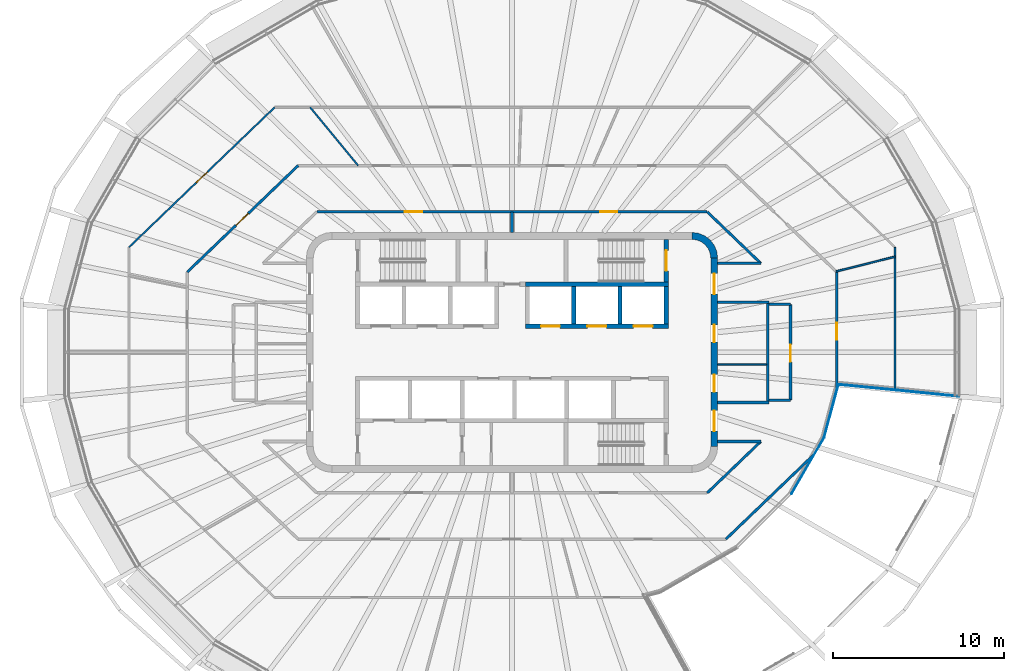
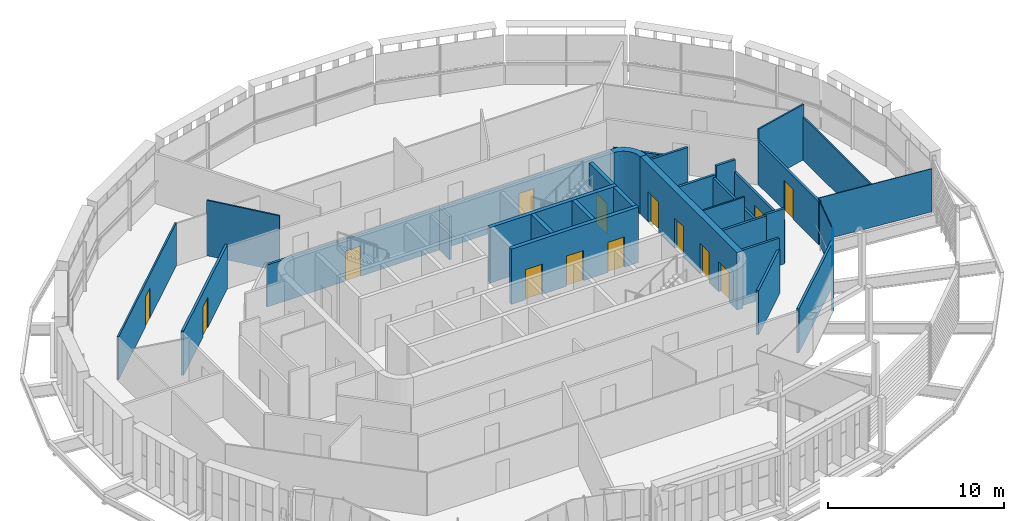
# One storey, part 10 of 18: 31 walls, 14 doors, 14 openings.
"""IFC4 building model written with IfcOpenShell, lengths in metres."""

from ifc_helpers import new_model, si_unit, direction, frame, frame_2d, origin, place, context, subcontext, project, spatial, polyline, rectangle, outline, extrude, material, layer, layer_set, type_object, element, fill, save


model = new_model("IFC4")

# Units and contexts
model_context = context("Model", 3, precision=1e-05, world=origin(), true_north=direction((0.0, 1.0)))
body_context = subcontext(model_context, "Body", "Model", "MODEL_VIEW")
ifc_project = project(units=[si_unit("LENGTHUNIT", "METRE"), si_unit("AREAUNIT", "SQUARE_METRE"), si_unit("VOLUMEUNIT", "CUBIC_METRE"), si_unit("PLANEANGLEUNIT", "RADIAN"), si_unit("MASSUNIT", "GRAM", prefix="KILO")], contexts=[model_context])

# Site, building, storey
site_placement = place(None, origin())
site = spatial("IfcSite", under=ifc_project, at=site_placement, CompositionType="ELEMENT")
building_placement = place(site_placement, origin())
building = spatial("IfcBuilding", under=site, at=building_placement, Name="Sahrelin Media Tower", CompositionType="ELEMENT")
storey_placement = place(building_placement, frame((0.0, 0.0, 308.39990234375)))
storey = spatial("IfcBuildingStorey", under=building, at=storey_placement, Name="L68", CompositionType="ELEMENT", Elevation=308.39990234375)

# Wall, openings, doors
ifc_material_1 = material(Name="Concrete C60/75", Category="concrete")
ifc_layer_1 = layer(ifc_material_1, 0.39990234375)
ifc_layer_set_1 = layer_set([ifc_layer_1], Name="Core wall 400")
wall_type_1 = type_object("IfcWallType", Name="Core wall 400", PredefinedType="SHEAR", material=ifc_layer_set_1)
wall_1_placement = place(storey_placement, frame((11.800048828125, -5.5, 0.0), z_axis=(0.0, 0.0, 1.0), x_axis=(0.0, 1.0, 0.0)))
wall_1 = element("IfcWall", 1, at=wall_1_placement, inside=storey, type_object=wall_type_1, Name="Core wall E L68", PredefinedType="SHEAR", context=body_context, shape_type="SweptSolid", body=[
    extrude(rectangle(XDim=11.0, YDim=0.39990234375, at=frame_2d((5.5, 0.0))), origin(), (0.0, 0.0, 1.0), 4.0),
])
opening_1_placement = place(wall_1_placement, frame((3.199951171875, 0.0, 0.0)))
opening_1 = element("IfcOpeningElement", 2, at=opening_1_placement, cuts=wall_1, Name="Opening L68-D12", PredefinedType="OPENING", context=body_context, shape_type="SweptSolid", body=[
    extrude(rectangle(XDim=1.0, YDim=2.10009765625, at=frame_2d((0.5, 1.050048828125))), frame((0.0, 0.199951171875, 0.0), z_axis=(0.0, -1.0, 0.0), x_axis=(1.0, 0.0, 0.0)), (0.0, 0.0, 1.0), 0.39990234375),
])
opening_2_placement = place(wall_1_placement, frame((6.10009765625, 0.0, 0.0)))
opening_2 = element("IfcOpeningElement", 3, at=opening_2_placement, cuts=wall_1, Name="Opening L68-D13", PredefinedType="OPENING", context=body_context, shape_type="SweptSolid", body=[
    extrude(rectangle(XDim=1.0, YDim=2.10009765625, at=frame_2d((0.5, 1.050048828125))), frame((0.0, 0.199951171875, 0.0), z_axis=(0.0, -1.0, 0.0), x_axis=(1.0, 0.0, 0.0)), (0.0, 0.0, 1.0), 0.39990234375),
])
opening_3_placement = place(wall_1_placement, frame((0.89990234375, 0.0, 0.0)))
opening_3 = element("IfcOpeningElement", 4, at=opening_3_placement, cuts=wall_1, Name="Opening L68-D16", PredefinedType="OPENING", context=body_context, shape_type="SweptSolid", body=[
    extrude(rectangle(XDim=1.199951171875, YDim=2.10009765625, at=frame_2d((0.60009765625, 1.050048828125))), frame((0.0, 0.199951171875, 0.0), z_axis=(0.0, -1.0, 0.0), x_axis=(1.0, 0.0, 0.0)), (0.0, 0.0, 1.0), 0.39990234375),
])
opening_4_placement = place(wall_1_placement, frame((8.89990234375, 0.0, 0.0)))
opening_4 = element("IfcOpeningElement", 5, at=opening_4_placement, cuts=wall_1, Name="Opening L68-D17", PredefinedType="OPENING", context=body_context, shape_type="SweptSolid", body=[
    extrude(rectangle(XDim=1.199951171875, YDim=2.10009765625, at=frame_2d((0.60009765625, 1.050048828125))), frame((0.0, 0.199951171875, 0.0), z_axis=(0.0, -1.0, 0.0), x_axis=(1.0, 0.0, 0.0)), (0.0, 0.0, 1.0), 0.39990234375),
])
ifc_material_2 = material(Name="Steel fire door leaf", Category="steel")
door_type_1 = type_object("IfcDoorType", Name="Fire door 1000 x 2100 EI 60", OperationType="NOTDEFINED", PredefinedType="DOOR", material=ifc_material_2)
door_1_placement = place(opening_1_placement, origin())
door_1 = element("IfcDoor", 6, at=door_1_placement, inside=storey, type_object=door_type_1, Name="Core room door", OperationType="SINGLE_SWING_RIGHT", OverallHeight=2.10009765625, OverallWidth=1.0, PredefinedType="DOOR", context=body_context, shape_type="SweptSolid", body=[
    extrude(rectangle(XDim=1.0, YDim=2.10009765625, at=frame_2d((0.5, 1.050048828125))), frame((0.0, 0.02490234375, 0.0), z_axis=(0.0, -1.0, 0.0), x_axis=(1.0, 0.0, 0.0)), (0.0, 0.0, 1.0), 0.050048828125),
])
fill(opening_1, door_1)
door_2_placement = place(opening_2_placement, origin())
door_2 = element("IfcDoor", 7, at=door_2_placement, inside=storey, type_object=door_type_1, Name="Core room door", OperationType="SINGLE_SWING_RIGHT", OverallHeight=2.10009765625, OverallWidth=1.0, PredefinedType="DOOR", context=body_context, shape_type="SweptSolid", body=[
    extrude(rectangle(XDim=1.0, YDim=2.10009765625, at=frame_2d((0.5, 1.050048828125))), frame((0.0, 0.02490234375, 0.0), z_axis=(0.0, -1.0, 0.0), x_axis=(1.0, 0.0, 0.0)), (0.0, 0.0, 1.0), 0.050048828125),
])
fill(opening_2, door_2)
door_type_2 = type_object("IfcDoorType", Name="Lobby door 1200 x 2100 EI 60", OperationType="NOTDEFINED", PredefinedType="DOOR", material=ifc_material_2)
door_3_placement = place(opening_3_placement, origin())
door_3 = element("IfcDoor", 8, at=door_3_placement, inside=storey, type_object=door_type_2, Name="Lobby door", OperationType="SINGLE_SWING_LEFT", OverallHeight=2.10009765625, OverallWidth=1.199951171875, PredefinedType="DOOR", context=body_context, shape_type="SweptSolid", body=[
    extrude(rectangle(XDim=1.199951171875, YDim=2.10009765625, at=frame_2d((0.60009765625, 1.050048828125))), frame((0.0, 0.02490234375, 0.0), z_axis=(0.0, -1.0, 0.0), x_axis=(1.0, 0.0, 0.0)), (0.0, 0.0, 1.0), 0.050048828125),
])
fill(opening_3, door_3)
door_4_placement = place(opening_4_placement, origin())
door_4 = element("IfcDoor", 9, at=door_4_placement, inside=storey, type_object=door_type_2, Name="Lobby door", OperationType="SINGLE_SWING_LEFT", OverallHeight=2.10009765625, OverallWidth=1.199951171875, PredefinedType="DOOR", context=body_context, shape_type="SweptSolid", body=[
    extrude(rectangle(XDim=1.199951171875, YDim=2.10009765625, at=frame_2d((0.60009765625, 1.050048828125))), frame((0.0, 0.02490234375, 0.0), z_axis=(0.0, -1.0, 0.0), x_axis=(1.0, 0.0, 0.0)), (0.0, 0.0, 1.0), 0.050048828125),
])
fill(opening_4, door_4)

# Walls
wall_2_placement = place(storey_placement, origin())
element("IfcWall", 10, at=wall_2_placement, inside=storey, type_object=wall_type_1, Name="Core wall corner NE L68", PredefinedType="SHEAR", context=body_context, shape_type="SweptSolid", body=[
    extrude(outline(polyline([(10.5, 7.0), (10.5, 6.596435546875), (10.78369140625, 6.55908203125), (11.04833984375, 6.44970703125), (11.275390625, 6.275390625), (11.44970703125, 6.04833984375), (11.55908203125, 5.78369140625), (11.596435546875, 5.5), (12.0, 5.5), (11.948974609375, 5.88818359375), (11.799072265625, 6.25), (11.560791015625, 6.560791015625), (11.25, 6.799072265625), (10.88818359375, 6.948974609375), (10.5, 7.0)])), origin(), (0.0, 0.0, 1.0), 4.0),
])
ifc_material_3 = material(Name="Fire-rated gypsum board partition")
ifc_layer_2 = layer(ifc_material_3, 0.10009765625)
ifc_layer_set_2 = layer_set([ifc_layer_2], Name="Fire-rated partition 100")
wall_type_2 = type_object("IfcWallType", Name="Fire-rated partition 100", PredefinedType="PARTITIONING", material=ifc_layer_set_2)
wall_3_placement = place(storey_placement, frame((12.0, -0.699951171875, 0.0), z_axis=(0.0, 0.0, 1.0), x_axis=(1.0, 0.0, 0.0)))
element("IfcWall", 11, at=wall_3_placement, inside=storey, type_object=wall_type_2, Name="Core room partition", PredefinedType="PARTITIONING", context=body_context, shape_type="SweptSolid", body=[
    extrude(rectangle(XDim=2.85009765625, YDim=0.10009765625, at=frame_2d((1.425048828125, 0.0))), origin(), (0.0, 0.0, 1.0), 3.85009765625),
])
ifc_layer_3 = layer(ifc_material_3, 0.14990234375)
ifc_layer_set_3 = layer_set([ifc_layer_3], Name="Fire-rated partition 150")
wall_type_3 = type_object("IfcWallType", Name="Fire-rated partition 150", PredefinedType="PARTITIONING", material=ifc_layer_set_3)
wall_4_placement = place(storey_placement, frame((14.925048828125, -2.85009765625, 0.0), z_axis=(0.0, 0.0, 1.0), x_axis=(0.0, 1.0, 0.0)))
element("IfcWall", 12, at=wall_4_placement, inside=storey, type_object=wall_type_3, Name="Core room fire partition", PredefinedType="PARTITIONING", context=body_context, shape_type="SweptSolid", body=[
    extrude(rectangle(XDim=5.7001953125, YDim=0.14990234375, at=frame_2d((2.85009765625, 0.0))), origin(), (0.0, 0.0, 1.0), 2.995361328125),
])
wall_5_placement = place(storey_placement, frame((12.0, 2.925048828125, 0.0), z_axis=(0.0, 0.0, 1.0), x_axis=(1.0, 0.0, 0.0)))
element("IfcWall", 13, at=wall_5_placement, inside=storey, type_object=wall_type_3, Name="Core room fire partition", PredefinedType="PARTITIONING", context=body_context, shape_type="SweptSolid", body=[
    extrude(rectangle(XDim=3.0, YDim=0.14990234375, at=frame_2d((1.5, 0.0))), origin(), (0.0, 0.0, 1.0), 3.152099609375),
])
wall_6_placement = place(storey_placement, frame((12.0, -2.925048828125, 0.0), z_axis=(0.0, 0.0, 1.0), x_axis=(1.0, 0.0, 0.0)))
element("IfcWall", 14, at=wall_6_placement, inside=storey, type_object=wall_type_3, Name="Core room fire partition", PredefinedType="PARTITIONING", context=body_context, shape_type="SweptSolid", body=[
    extrude(rectangle(XDim=3.0, YDim=0.14990234375, at=frame_2d((1.5, 0.0))), origin(), (0.0, 0.0, 1.0), 3.85009765625),
])
wall_7_placement = place(storey_placement, frame((11.39111328125, 8.198974609375, 0.0), z_axis=(0.0, 0.0, 1.0), x_axis=(0.721228427004, -0.692697304803, 0.0)))
element("IfcWall", 15, at=wall_7_placement, inside=storey, type_object=wall_type_3, Name="Wall", PredefinedType="PARTITIONING", context=body_context, shape_type="SweptSolid", body=[
    extrude(rectangle(XDim=4.329833984375, YDim=0.14990234375, at=frame_2d((2.1650390625, 0.0))), origin(), (0.0, 0.0, 1.0), 3.076171875),
])
wall_8_placement = place(storey_placement, frame((12.0, -5.199951171875, 0.0), z_axis=(0.0, 0.0, 1.0), x_axis=(1.0, 0.0, 0.0)))
element("IfcWall", 16, at=wall_8_placement, inside=storey, type_object=wall_type_3, Name="Wall", PredefinedType="PARTITIONING", context=body_context, shape_type="SweptSolid", body=[
    extrude(rectangle(XDim=2.513916015625, YDim=0.14990234375, at=frame_2d((1.2568359375, 0.0))), origin(), (0.0, 0.0, 1.0), 3.85009765625),
])
for number, where, z_axis, x_axis, name in (
    (17, (15.0, -2.800048828125, 0.0), (0.0, 0.0, 1.0), (1.0, 0.0, 0.0), "Wall"),
    (18, (15.0, 2.800048828125, 0.0), (0.0, 0.0, 1.0), (1.0, 0.0, 0.0), "Wall"),
):
    element("IfcWall", number, at=place(storey_placement, frame(where, z_axis=z_axis, x_axis=x_axis)), inside=storey, type_object=wall_type_3, Name=name, PredefinedType="PARTITIONING", context=body_context, shape_type="SweptSolid", body=[
        extrude(rectangle(XDim=1.25, YDim=0.14990234375, at=frame_2d((0.625, 0.0))), origin(), (0.0, 0.0, 1.0), 3.85009765625),
    ])
wall_9_placement = place(storey_placement, frame((12.0, 5.199951171875, 0.0), z_axis=(0.0, 0.0, 1.0), x_axis=(1.0, 0.0, 0.0)))
element("IfcWall", 19, at=wall_9_placement, inside=storey, type_object=wall_type_3, Name="Wall", PredefinedType="PARTITIONING", context=body_context, shape_type="SweptSolid", body=[
    extrude(rectangle(XDim=2.513916015625, YDim=0.14990234375, at=frame_2d((1.2568359375, 0.0))), origin(), (0.0, 0.0, 1.0), 3.85009765625),
])

# Wall, openings, doors
wall_10_placement = place(storey_placement, frame((-11.39111328125, 8.198974609375, 0.0), z_axis=(0.0, 0.0, 1.0), x_axis=(1.0, 0.0, 0.0)))
wall_10 = element("IfcWall", 20, at=wall_10_placement, inside=storey, type_object=wall_type_3, Name="Wall", PredefinedType="PARTITIONING", context=body_context, shape_type="SweptSolid", body=[
    extrude(rectangle(XDim=22.7822265625, YDim=0.14990234375, at=frame_2d((11.39111328125, 0.0))), origin(), (0.0, 0.0, 1.0), 2.927001953125),
])
opening_5_placement = place(wall_10_placement, frame((16.535888671875, 0.0, 0.0)))
opening_5 = element("IfcOpeningElement", 21, at=opening_5_placement, cuts=wall_10, Name="Opening L68-D21", PredefinedType="OPENING", context=body_context, shape_type="SweptSolid", body=[
    extrude(rectangle(XDim=1.0, YDim=2.10009765625, at=frame_2d((0.5, 1.050048828125))), frame((0.0, 0.074951171875, 0.0), z_axis=(0.0, -1.0, 0.0), x_axis=(1.0, 0.0, 0.0)), (0.0, 0.0, 1.0), 0.14990234375),
])
opening_6_placement = place(wall_10_placement, frame((5.14501953125, 0.0, 0.0)))
opening_6 = element("IfcOpeningElement", 22, at=opening_6_placement, cuts=wall_10, Name="Opening L68-D22", PredefinedType="OPENING", context=body_context, shape_type="SweptSolid", body=[
    extrude(rectangle(XDim=1.0, YDim=2.10009765625, at=frame_2d((0.5, 1.050048828125))), frame((0.0, 0.074951171875, 0.0), z_axis=(0.0, -1.0, 0.0), x_axis=(1.0, 0.0, 0.0)), (0.0, 0.0, 1.0), 0.14990234375),
])
door_5_placement = place(opening_5_placement, origin())
door_5 = element("IfcDoor", 23, at=door_5_placement, inside=storey, type_object=door_type_1, Name="Fire door", OperationType="SINGLE_SWING_LEFT", OverallHeight=2.10009765625, OverallWidth=1.0, PredefinedType="DOOR", context=body_context, shape_type="SweptSolid", body=[
    extrude(rectangle(XDim=1.0, YDim=2.10009765625, at=frame_2d((0.5, 1.050048828125))), frame((0.0, 0.02490234375, 0.0), z_axis=(0.0, -1.0, 0.0), x_axis=(1.0, 0.0, 0.0)), (0.0, 0.0, 1.0), 0.050048828125),
])
fill(opening_5, door_5)
door_6_placement = place(opening_6_placement, origin())
door_6 = element("IfcDoor", 24, at=door_6_placement, inside=storey, type_object=door_type_1, Name="Fire door", OperationType="SINGLE_SWING_RIGHT", OverallHeight=2.10009765625, OverallWidth=1.0, PredefinedType="DOOR", context=body_context, shape_type="SweptSolid", body=[
    extrude(rectangle(XDim=1.0, YDim=2.10009765625, at=frame_2d((0.5, 1.050048828125))), frame((0.0, 0.02490234375, 0.0), z_axis=(0.0, -1.0, 0.0), x_axis=(1.0, 0.0, 0.0)), (0.0, 0.0, 1.0), 0.050048828125),
])
fill(opening_6, door_6)

# Walls
wall_11_placement = place(storey_placement, frame((12.47802734375, -10.89892578125, 0.0), z_axis=(0.0, 0.0, 1.0), x_axis=(0.721272918752, 0.692650977531, 0.0)))
element("IfcWall", 25, at=wall_11_placement, inside=storey, type_object=wall_type_3, Name="Wall", PredefinedType="PARTITIONING", context=body_context, shape_type="SweptSolid", body=[
    extrude(rectangle(XDim=7.1650390625, YDim=0.14990234375, at=frame_2d((3.58251953125, 0.0))), origin(), (0.0, 0.0, 1.0), 3.076171875),
])
wall_12_placement = place(storey_placement, frame((11.39111328125, -8.198974609375, 0.0), z_axis=(0.0, 0.0, 1.0), x_axis=(0.721256597366, 0.692667972954, 0.0)))
element("IfcWall", 26, at=wall_12_placement, inside=storey, type_object=wall_type_3, Name="Wall", PredefinedType="PARTITIONING", context=body_context, shape_type="SweptSolid", body=[
    extrude(rectangle(XDim=4.32958984375, YDim=0.14990234375, at=frame_2d((2.164794921875, 0.0))), origin(), (0.0, 0.0, 1.0), 3.076171875),
])

# Wall, opening, door
wall_13_placement = place(storey_placement, frame((-18.949951171875, 4.68310546875, 0.0), z_axis=(0.0, 0.0, 1.0), x_axis=(0.721259541977, 0.692664906797, 0.0)))
wall_13 = element("IfcWall", 27, at=wall_13_placement, inside=storey, type_object=wall_type_3, Name="Wall", PredefinedType="PARTITIONING", context=body_context, shape_type="SweptSolid", body=[
    extrude(rectangle(XDim=8.973388671875, YDim=0.14990234375, at=frame_2d((4.48681640625, 0.0))), origin(), (0.0, 0.0, 1.0), 3.076171875),
])
opening_7_placement = place(wall_13_placement, frame((3.93701171875, 0.0, 0.0)))
opening_7 = element("IfcOpeningElement", 28, at=opening_7_placement, cuts=wall_13, Name="Opening L68-D29", PredefinedType="OPENING", context=body_context, shape_type="SweptSolid", body=[
    extrude(rectangle(XDim=1.0, YDim=2.10009765625, at=frame_2d((0.5, 1.050048828125))), frame((0.0, 0.074951171875, 0.0), z_axis=(0.0, -1.0, 0.0), x_axis=(1.0, 0.0, 0.0)), (0.0, 0.0, 1.0), 0.14990234375),
])
door_7_placement = place(opening_7_placement, origin())
door_7 = element("IfcDoor", 29, at=door_7_placement, inside=storey, type_object=door_type_1, Name="Fire door", OperationType="SINGLE_SWING_LEFT", OverallHeight=2.10009765625, OverallWidth=1.0, PredefinedType="DOOR", context=body_context, shape_type="SweptSolid", body=[
    extrude(rectangle(XDim=1.0, YDim=2.10009765625, at=frame_2d((0.5, 1.050048828125))), frame((0.0, 0.02490234375, 0.0), z_axis=(0.0, -1.0, 0.0), x_axis=(1.0, 0.0, 0.0)), (0.0, 0.0, 1.0), 0.050048828125),
])
fill(opening_7, door_7)

wall_14_placement = place(storey_placement, frame((18.949951171875, -2.200927734375, 0.0), z_axis=(0.0, 0.0, 1.0), x_axis=(0.0, 1.0, 0.0)))
wall_14 = element("IfcWall", 30, at=wall_14_placement, inside=storey, type_object=wall_type_3, Name="Wall", PredefinedType="PARTITIONING", context=body_context, shape_type="SweptSolid", body=[
    extrude(rectangle(XDim=6.884033203125, YDim=0.14990234375, at=frame_2d((3.44189453125, 0.0))), origin(), (0.0, 0.0, 1.0), 2.995361328125),
])
opening_8_placement = place(wall_14_placement, frame((2.94189453125, 0.0, 0.0)))
opening_8 = element("IfcOpeningElement", 31, at=opening_8_placement, cuts=wall_14, Name="Opening L68-D38", PredefinedType="OPENING", context=body_context, shape_type="SweptSolid", body=[
    extrude(rectangle(XDim=1.0, YDim=2.10009765625, at=frame_2d((0.5, 1.050048828125))), frame((0.0, 0.074951171875, 0.0), z_axis=(0.0, -1.0, 0.0), x_axis=(1.0, 0.0, 0.0)), (0.0, 0.0, 1.0), 0.14990234375),
])
door_8_placement = place(opening_8_placement, origin())
door_8 = element("IfcDoor", 32, at=door_8_placement, inside=storey, type_object=door_type_1, Name="Fire door", OperationType="SINGLE_SWING_LEFT", OverallHeight=2.10009765625, OverallWidth=1.0, PredefinedType="DOOR", context=body_context, shape_type="SweptSolid", body=[
    extrude(rectangle(XDim=1.0, YDim=2.10009765625, at=frame_2d((0.5, 1.050048828125))), frame((0.0, 0.02490234375, 0.0), z_axis=(0.0, -1.0, 0.0), x_axis=(1.0, 0.0, 0.0)), (0.0, 0.0, 1.0), 0.050048828125),
])
fill(opening_8, door_8)

wall_15_placement = place(storey_placement, frame((16.25, -2.7900390625, 0.0), z_axis=(0.0, 0.0, 1.0), x_axis=(0.0, 1.0, 0.0)))
wall_15 = element("IfcWall", 33, at=wall_15_placement, inside=storey, type_object=wall_type_3, Name="Wall", PredefinedType="PARTITIONING", context=body_context, shape_type="SweptSolid", body=[
    extrude(rectangle(XDim=5.580078125, YDim=0.14990234375, at=frame_2d((2.7900390625, 0.0))), origin(), (0.0, 0.0, 1.0), 2.995361328125),
])
opening_9_placement = place(wall_15_placement, frame((2.23876953125, 0.0, 0.0)))
opening_9 = element("IfcOpeningElement", 34, at=opening_9_placement, cuts=wall_15, Name="Opening L68-D20", PredefinedType="OPENING", context=body_context, shape_type="SweptSolid", body=[
    extrude(rectangle(XDim=1.0, YDim=2.10009765625, at=frame_2d((0.5, 1.050048828125))), frame((0.0, 0.074951171875, 0.0), z_axis=(0.0, -1.0, 0.0), x_axis=(1.0, 0.0, 0.0)), (0.0, 0.0, 1.0), 0.14990234375),
])
door_9_placement = place(opening_9_placement, origin())
door_9 = element("IfcDoor", 35, at=door_9_placement, inside=storey, type_object=door_type_1, Name="Fire door", OperationType="SINGLE_SWING_RIGHT", OverallHeight=2.10009765625, OverallWidth=1.0, PredefinedType="DOOR", context=body_context, shape_type="SweptSolid", body=[
    extrude(rectangle(XDim=1.0, YDim=2.10009765625, at=frame_2d((0.5, 1.050048828125))), frame((0.0, 0.02490234375, 0.0), z_axis=(0.0, -1.0, 0.0), x_axis=(1.0, 0.0, 0.0)), (0.0, 0.0, 1.0), 0.050048828125),
])
fill(opening_9, door_9)

# Walls
wall_16_placement = place(storey_placement, frame((0.0, 7.0, 0.0), z_axis=(0.0, 0.0, 1.0), x_axis=(0.0, 1.0, 0.0)))
element("IfcWall", 36, at=wall_16_placement, inside=storey, type_object=wall_type_3, Name="Wall", PredefinedType="PARTITIONING", context=body_context, shape_type="SweptSolid", body=[
    extrude(rectangle(XDim=1.198974609375, YDim=0.14990234375, at=frame_2d((0.599609375, 0.0))), origin(), (0.0, 0.0, 1.0), 2.995361328125),
])
ifc_material_4 = material(Name="Clear glass", Category="glass")
ifc_layer_4 = layer(ifc_material_4, 0.050048828125)
ifc_layer_set_4 = layer_set([ifc_layer_4], Name="Glazed partition 50")
wall_type_4 = type_object("IfcWallType", Name="Glazed partition 50", PredefinedType="PARTITIONING", material=ifc_layer_set_4)
wall_17_placement = place(storey_placement, frame((19.0380859375, -1.873046875, 0.0), z_axis=(0.0, 0.0, 1.0), x_axis=(0.995189989424, -0.097963691995, 0.0)))
element("IfcWall", 37, at=wall_17_placement, inside=storey, type_object=wall_type_4, Name="Wall", PredefinedType="PARTITIONING", context=body_context, shape_type="SweptSolid", body=[
    extrude(rectangle(XDim=7.09521484375, YDim=0.050048828125, at=frame_2d((3.547607421875, 0.0))), origin(), (0.0, 0.0, 1.0), 2.995361328125),
])
wall_18_placement = place(storey_placement, frame((16.300048828125, -8.26708984375, 0.0), z_axis=(0.0, 0.0, 1.0), x_axis=(0.500019073792, 0.866014391245, 0.0)))
element("IfcWall", 38, at=wall_18_placement, inside=storey, type_object=wall_type_4, Name="Wall", PredefinedType="PARTITIONING", context=body_context, shape_type="SweptSolid", body=[
    extrude(rectangle(XDim=3.823486328125, YDim=0.050048828125, at=frame_2d((1.91162109375, 0.0))), origin(), (0.0, 0.0, 1.0), 3.076171875),
])
wall_19_placement = place(storey_placement, frame((18.211669921875, -4.955810546875, 0.0), z_axis=(0.0, 0.0, 1.0), x_axis=(0.258862263765, 0.965914244847, 0.0)))
element("IfcWall", 39, at=wall_19_placement, inside=storey, type_object=wall_type_4, Name="Wall", PredefinedType="PARTITIONING", context=body_context, shape_type="SweptSolid", body=[
    extrude(rectangle(XDim=3.191650390625, YDim=0.050048828125, at=frame_2d((1.595703125, 0.0))), origin(), (0.0, 0.0, 1.0), 2.995361328125),
])

# Wall, openings, doors
ifc_layer_5 = layer(ifc_material_1, 0.25)
ifc_layer_set_5 = layer_set([ifc_layer_5], Name="Lift shaft wall 250")
wall_type_5 = type_object("IfcWallType", Name="Lift shaft wall 250", PredefinedType="SOLIDWALL", material=ifc_layer_set_5)
wall_20_placement = place(storey_placement, frame((0.77490234375, 1.52490234375, 0.0), z_axis=(0.0, 0.0, 1.0), x_axis=(1.0, 0.0, 0.0)))
wall_20 = element("IfcWall", 40, at=wall_20_placement, inside=storey, type_object=wall_type_5, Name="Lift shaft wall", PredefinedType="SOLIDWALL", context=body_context, shape_type="SweptSolid", body=[
    extrude(rectangle(XDim=8.35009765625, YDim=0.25, at=frame_2d((4.175048828125, 0.0))), origin(), (0.0, 0.0, 1.0), 3.85009765625),
])
opening_10_placement = place(wall_20_placement, frame((0.925048828125, 0.0, 0.0)))
opening_10 = element("IfcOpeningElement", 41, at=opening_10_placement, cuts=wall_20, Name="Opening L68-LD-HR4", PredefinedType="OPENING", context=body_context, shape_type="SweptSolid", body=[
    extrude(rectangle(XDim=1.10009765625, YDim=2.10009765625, at=frame_2d((0.550048828125, 1.050048828125))), frame((0.0, 0.125, 0.0), z_axis=(0.0, -1.0, 0.0), x_axis=(1.0, 0.0, 0.0)), (0.0, 0.0, 1.0), 0.25),
])
opening_11_placement = place(wall_20_placement, frame((3.625, 0.0, 0.0)))
opening_11 = element("IfcOpeningElement", 42, at=opening_11_placement, cuts=wall_20, Name="Opening L68-LD-HR5", PredefinedType="OPENING", context=body_context, shape_type="SweptSolid", body=[
    extrude(rectangle(XDim=1.10009765625, YDim=2.10009765625, at=frame_2d((0.550048828125, 1.050048828125))), frame((0.0, 0.125, 0.0), z_axis=(0.0, -1.0, 0.0), x_axis=(1.0, 0.0, 0.0)), (0.0, 0.0, 1.0), 0.25),
])
opening_12_placement = place(wall_20_placement, frame((6.324951171875, 0.0, 0.0)))
opening_12 = element("IfcOpeningElement", 43, at=opening_12_placement, cuts=wall_20, Name="Opening L68-LD-HR6", PredefinedType="OPENING", context=body_context, shape_type="SweptSolid", body=[
    extrude(rectangle(XDim=1.10009765625, YDim=2.10009765625, at=frame_2d((0.550048828125, 1.050048828125))), frame((0.0, 0.125, 0.0), z_axis=(0.0, -1.0, 0.0), x_axis=(1.0, 0.0, 0.0)), (0.0, 0.0, 1.0), 0.25),
])
ifc_material_5 = material(Name="Stainless steel", Category="steel")
door_type_3 = type_object("IfcDoorType", Name="Lift landing door 1100 x 2100 EI 120", OperationType="DOUBLE_DOOR_SLIDING", PredefinedType="DOOR", material=ifc_material_5)
door_10_placement = place(opening_10_placement, origin())
door_10 = element("IfcDoor", 44, at=door_10_placement, inside=storey, type_object=door_type_3, Name="Lift landing door HR4", OperationType="DOUBLE_DOOR_SLIDING", OverallHeight=2.10009765625, OverallWidth=1.10009765625, PredefinedType="DOOR", context=body_context, shape_type="SweptSolid", body=[
    extrude(rectangle(XDim=1.10009765625, YDim=2.10009765625, at=frame_2d((0.550048828125, 1.050048828125))), frame((0.0, 0.02490234375, 0.0), z_axis=(0.0, -1.0, 0.0), x_axis=(1.0, 0.0, 0.0)), (0.0, 0.0, 1.0), 0.050048828125),
])
fill(opening_10, door_10)
door_11_placement = place(opening_11_placement, origin())
door_11 = element("IfcDoor", 45, at=door_11_placement, inside=storey, type_object=door_type_3, Name="Lift landing door HR5", OperationType="DOUBLE_DOOR_SLIDING", OverallHeight=2.10009765625, OverallWidth=1.10009765625, PredefinedType="DOOR", context=body_context, shape_type="SweptSolid", body=[
    extrude(rectangle(XDim=1.10009765625, YDim=2.10009765625, at=frame_2d((0.550048828125, 1.050048828125))), frame((0.0, 0.02490234375, 0.0), z_axis=(0.0, -1.0, 0.0), x_axis=(1.0, 0.0, 0.0)), (0.0, 0.0, 1.0), 0.050048828125),
])
fill(opening_11, door_11)
door_12_placement = place(opening_12_placement, origin())
door_12 = element("IfcDoor", 46, at=door_12_placement, inside=storey, type_object=door_type_3, Name="Lift landing door HR6", OperationType="DOUBLE_DOOR_SLIDING", OverallHeight=2.10009765625, OverallWidth=1.10009765625, PredefinedType="DOOR", context=body_context, shape_type="SweptSolid", body=[
    extrude(rectangle(XDim=1.10009765625, YDim=2.10009765625, at=frame_2d((0.550048828125, 1.050048828125))), frame((0.0, 0.02490234375, 0.0), z_axis=(0.0, -1.0, 0.0), x_axis=(1.0, 0.0, 0.0)), (0.0, 0.0, 1.0), 0.050048828125),
])
fill(opening_12, door_12)

# Walls
wall_21_placement = place(storey_placement, frame((0.77490234375, 3.97509765625, 0.0), z_axis=(0.0, 0.0, 1.0), x_axis=(1.0, 0.0, 0.0)))
element("IfcWall", 47, at=wall_21_placement, inside=storey, type_object=wall_type_5, Name="Lift shaft wall", PredefinedType="SOLIDWALL", context=body_context, shape_type="SweptSolid", body=[
    extrude(rectangle(XDim=8.35009765625, YDim=0.25, at=frame_2d((4.175048828125, 0.0))), origin(), (0.0, 0.0, 1.0), 3.85009765625),
])
for number, where, z_axis, x_axis, name in (
    (48, (9.0, 1.64990234375, 0.0), (0.0, 0.0, 1.0), (0.0, 1.0, 0.0), "Lift shaft wall"),
    (49, (6.300048828125, 1.64990234375, 0.0), (0.0, 0.0, 1.0), (0.0, 1.0, 0.0), "Lift shaft wall"),
    (50, (3.60009765625, 1.64990234375, 0.0), (0.0, 0.0, 1.0), (0.0, 1.0, 0.0), "Lift shaft wall"),
):
    element("IfcWall", number, at=place(storey_placement, frame(where, z_axis=z_axis, x_axis=x_axis)), inside=storey, type_object=wall_type_5, Name=name, PredefinedType="SOLIDWALL", context=body_context, shape_type="SweptSolid", body=[
        extrude(rectangle(XDim=2.2001953125, YDim=0.25, at=frame_2d((1.10009765625, 0.0))), origin(), (0.0, 0.0, 1.0), 3.85009765625),
    ])
ifc_material_6 = material(Name="Gypsum board partition")
ifc_layer_6 = layer(ifc_material_6, 0.10009765625)
ifc_layer_set_6 = layer_set([ifc_layer_6], Name="Partition 100")
wall_type_6 = type_object("IfcWallType", Name="Partition 100", PredefinedType="PARTITIONING", material=ifc_layer_set_6)
wall_22_placement = place(storey_placement, frame((-11.777099609375, 14.299072265625, 0.0), z_axis=(0.0, 0.0, 1.0), x_axis=(0.63569753872, -0.771938235396, 0.0)))
element("IfcWall", 51, at=wall_22_placement, inside=storey, type_object=wall_type_6, Name="Wall", PredefinedType="PARTITIONING", context=body_context, shape_type="SweptSolid", body=[
    extrude(rectangle(XDim=4.40478515625, YDim=0.10009765625, at=frame_2d((2.202392578125, 0.0))), origin(), (0.0, 0.0, 1.0), 3.85009765625),
])
wall_23_placement = place(storey_placement, frame((18.907958984375, 4.722900390625, 0.0), z_axis=(0.0, 0.0, 1.0), x_axis=(0.970170827599, 0.242422287086, 0.0)))
element("IfcWall", 52, at=wall_23_placement, inside=storey, type_object=wall_type_6, Name="Wall", PredefinedType="PARTITIONING", context=body_context, shape_type="SweptSolid", body=[
    extrude(rectangle(XDim=3.5478515625, YDim=0.10009765625, at=frame_2d((1.77392578125, 0.0))), origin(), (0.0, 0.0, 1.0), 3.85009765625),
])

# Wall, opening, door
wall_24_placement = place(storey_placement, frame((-22.35009765625, 6.132080078125, 0.0), z_axis=(0.0, 0.0, 1.0), x_axis=(0.721259864686, 0.692664570765, 0.0)))
wall_24 = element("IfcWall", 53, at=wall_24_placement, inside=storey, type_object=wall_type_6, Name="Wall", PredefinedType="PARTITIONING", context=body_context, shape_type="SweptSolid", body=[
    extrude(rectangle(XDim=11.790771484375, YDim=0.10009765625, at=frame_2d((5.8955078125, 0.0))), origin(), (0.0, 0.0, 1.0), 2.995361328125),
])
opening_13_placement = place(wall_24_placement, frame((5.4453125, 0.0, 0.0)))
opening_13 = element("IfcOpeningElement", 54, at=opening_13_placement, cuts=wall_24, Name="Opening L68-D31", PredefinedType="OPENING", context=body_context, shape_type="SweptSolid", body=[
    extrude(rectangle(XDim=0.89990234375, YDim=2.10009765625, at=frame_2d((0.449951171875, 1.050048828125))), frame((0.0, 0.050048828125, 0.0), z_axis=(0.0, -1.0, 0.0), x_axis=(1.0, 0.0, 0.0)), (0.0, 0.0, 1.0), 0.10009765625),
])
ifc_material_7 = material(Name="Timber door leaf", Category="wood")
door_type_4 = type_object("IfcDoorType", Name="Single door 900 x 2100", OperationType="NOTDEFINED", PredefinedType="DOOR", material=ifc_material_7)
door_13_placement = place(opening_13_placement, origin())
door_13 = element("IfcDoor", 55, at=door_13_placement, inside=storey, type_object=door_type_4, Name="Single door", OperationType="SINGLE_SWING_RIGHT", OverallHeight=2.10009765625, OverallWidth=0.89990234375, PredefinedType="DOOR", context=body_context, shape_type="SweptSolid", body=[
    extrude(rectangle(XDim=0.89990234375, YDim=2.10009765625, at=frame_2d((0.449951171875, 1.050048828125))), frame((0.0, 0.02490234375, 0.0), z_axis=(0.0, -1.0, 0.0), x_axis=(1.0, 0.0, 0.0)), (0.0, 0.0, 1.0), 0.050048828125),
])
fill(opening_13, door_13)

# Wall
wall_25_placement = place(storey_placement, frame((22.35009765625, -2.198974609375, 0.0), z_axis=(0.0, 0.0, 1.0), x_axis=(0.0, 1.0, 0.0)))
element("IfcWall", 56, at=wall_25_placement, inside=storey, type_object=wall_type_6, Name="Wall", PredefinedType="PARTITIONING", context=body_context, shape_type="SweptSolid", body=[
    extrude(rectangle(XDim=8.3310546875, YDim=0.10009765625, at=frame_2d((4.16552734375, 0.0))), origin(), (0.0, 0.0, 1.0), 2.995361328125),
])

# Wall, opening, door
ifc_layer_7 = layer(ifc_material_1, 0.25)
ifc_layer_set_7 = layer_set([ifc_layer_7], Name="Stair enclosure wall 250")
wall_type_7 = type_object("IfcWallType", Name="Stair enclosure wall 250", PredefinedType="SOLIDWALL", material=ifc_layer_set_7)
wall_26_placement = place(storey_placement, frame((9.0, 4.10009765625, 0.0), z_axis=(0.0, 0.0, 1.0), x_axis=(0.0, 1.0, 0.0)))
wall_26 = element("IfcWall", 57, at=wall_26_placement, inside=storey, type_object=wall_type_7, Name="Stair enclosure wall", PredefinedType="SOLIDWALL", context=body_context, shape_type="SweptSolid", body=[
    extrude(rectangle(XDim=2.5, YDim=0.25, at=frame_2d((1.25, 0.0))), origin(), (0.0, 0.0, 1.0), 3.85009765625),
])
opening_14_placement = place(wall_26_placement, frame((0.64990234375, 0.0, 0.0)))
opening_14 = element("IfcOpeningElement", 58, at=opening_14_placement, cuts=wall_26, Name="Opening L68-D02", PredefinedType="OPENING", context=body_context, shape_type="SweptSolid", body=[
    extrude(rectangle(XDim=1.199951171875, YDim=2.10009765625, at=frame_2d((0.60009765625, 1.050048828125))), frame((0.0, 0.125, 0.0), z_axis=(0.0, -1.0, 0.0), x_axis=(1.0, 0.0, 0.0)), (0.0, 0.0, 1.0), 0.25),
])
door_type_5 = type_object("IfcDoorType", Name="Stair door 1200 x 2100 EI 120", OperationType="NOTDEFINED", PredefinedType="DOOR", material=ifc_material_2)
door_14_placement = place(opening_14_placement, origin())
door_14 = element("IfcDoor", 59, at=door_14_placement, inside=storey, type_object=door_type_5, Name="Stair door ST3", OperationType="SINGLE_SWING_LEFT", OverallHeight=2.10009765625, OverallWidth=1.199951171875, PredefinedType="DOOR", context=body_context, shape_type="SweptSolid", body=[
    extrude(rectangle(XDim=1.199951171875, YDim=2.10009765625, at=frame_2d((0.60009765625, 1.050048828125))), frame((0.0, 0.02490234375, 0.0), z_axis=(0.0, -1.0, 0.0), x_axis=(1.0, 0.0, 0.0)), (0.0, 0.0, 1.0), 0.050048828125),
])
fill(opening_14, door_14)

save(model, "model.ifc")
